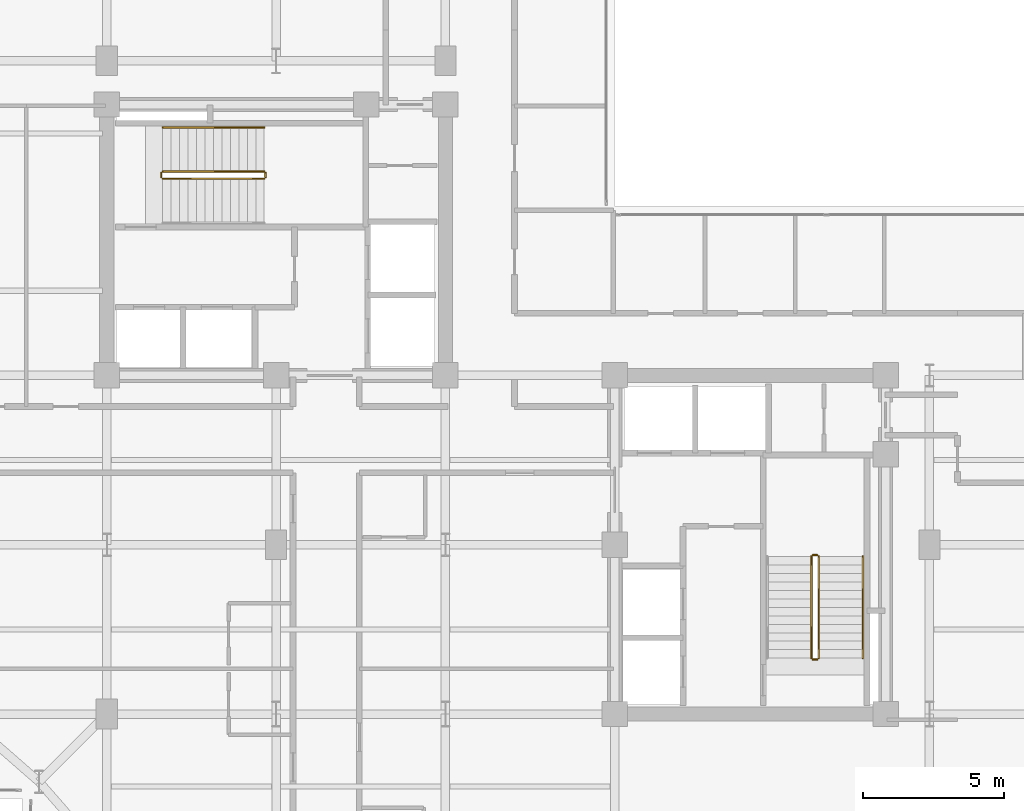
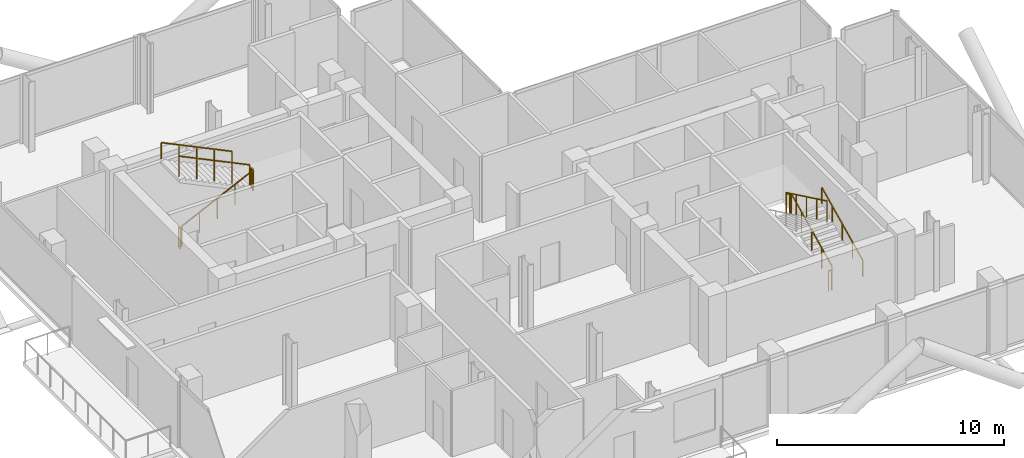
# One storey, part 21 of 21: 10 railings.
"""IFC4 building model written with IfcOpenShell, lengths in metres."""

from ifc_helpers import new_model, si_unit, direction, frame, origin, origin_2d, place, context, subcontext, project, spatial, rectangle, extrude, material, type_object, element, save


model = new_model("IFC4")

# Units and contexts
model_context = context("Model", 3, precision=1e-05, world=origin(), true_north=direction((0.0, 1.0)))
body_context = subcontext(model_context, "Body", "Model", "MODEL_VIEW")
ifc_project = project(units=[si_unit("LENGTHUNIT", "METRE"), si_unit("AREAUNIT", "SQUARE_METRE"), si_unit("VOLUMEUNIT", "CUBIC_METRE"), si_unit("PLANEANGLEUNIT", "RADIAN"), si_unit("MASSUNIT", "GRAM", prefix="KILO"), si_unit("THERMODYNAMICTEMPERATUREUNIT", "KELVIN"), si_unit("POWERUNIT", "WATT")], contexts=[model_context])

# Site, building, storey
site_placement = place(None, origin())
site = spatial("IfcSite", under=ifc_project, at=site_placement, CompositionType="ELEMENT")
building_placement = place(site_placement, origin())
building = spatial("IfcBuilding", under=site, at=building_placement, Name="Svarakhadi Broadcast Tower", CompositionType="ELEMENT")
storey_placement = place(building_placement, frame((0.0, 0.0, 208.64990234375)))
storey = spatial("IfcBuildingStorey", under=building, at=storey_placement, Name="L51", CompositionType="ELEMENT", Elevation=208.64990234375)

# Railings
ifc_material = material(Name="Anodised Bronze Aluminium AA 6063-T6", Category="aluminium")
railing_type_1 = type_object("IfcRailingType", Name="Guard_Stair_GR01", PredefinedType="GUARDRAIL", material=ifc_material)
railing_1_placement = place(storey_placement, frame((7.97998046875, 24.969970703125, 0.144287109375)))
element("IfcRailing", 1, at=railing_1_placement, inside=storey, type_object=railing_type_1, Name="L51 ST-01 stair guard 1", PredefinedType="GUARDRAIL", context=body_context, shape_type="SweptSolid", body=[
    extrude(rectangle(XDim=0.048095703125, YDim=0.048095703125, at=origin_2d()), frame((0.0, 0.0, 1.09619140625), z_axis=(0.901262522062, 0.0, 0.433273431364), x_axis=(0.0, 1.0, 0.0)), (0.0, 0.0, 1.0), 3.994384765625),
    extrude(rectangle(XDim=0.0419921875, YDim=0.0419921875, at=origin_2d()), origin(), (0.0, 0.0, 1.0), 1.072021484375),
    extrude(rectangle(XDim=0.0419921875, YDim=0.0419921875, at=origin_2d()), frame((0.89990234375, 0.0, 0.4326171875)), (0.0, 0.0, 1.0), 1.072021484375),
    extrude(rectangle(XDim=0.0419921875, YDim=0.0419921875, at=origin_2d()), frame((1.800048828125, 0.0, 0.865234375)), (0.0, 0.0, 1.0), 1.072021484375),
    extrude(rectangle(XDim=0.0419921875, YDim=0.0419921875, at=origin_2d()), frame((2.7001953125, 0.0, 1.298095703125)), (0.0, 0.0, 1.0), 1.072021484375),
    extrude(rectangle(XDim=0.0419921875, YDim=0.0419921875, at=origin_2d()), frame((3.60009765625, 0.0, 1.730712890625)), (0.0, 0.0, 1.0), 1.072021484375),
])
railing_2_placement = place(storey_placement, frame((11.6298828125, 25.02001953125, 1.875)))
element("IfcRailing", 2, at=railing_2_placement, inside=storey, type_object=railing_type_1, Name="L51 ST-01 stair guard 2", PredefinedType="GUARDRAIL", context=body_context, shape_type="SweptSolid", body=[
    extrude(rectangle(XDim=0.048095703125, YDim=0.048095703125, at=origin_2d()), frame((0.0, 0.0, 1.09619140625), z_axis=(0.0, 1.0, 0.0), x_axis=(-1.0, 0.0, 0.0)), (0.0, 0.0, 1.0), 0.159912109375),
    extrude(rectangle(XDim=0.0419921875, YDim=0.0419921875, at=origin_2d()), origin(), (0.0, 0.0, 1.0), 1.072021484375),
    extrude(rectangle(XDim=0.0419921875, YDim=0.0419921875, at=origin_2d()), frame((0.0, 0.159912109375, 0.0)), (0.0, 0.0, 1.0), 1.072021484375),
])
railing_3_placement = place(storey_placement, frame((11.580078125, 25.22998046875, 2.019287109375)))
element("IfcRailing", 3, at=railing_3_placement, inside=storey, type_object=railing_type_1, Name="L51 ST-01 stair guard 3", PredefinedType="GUARDRAIL", context=body_context, shape_type="SweptSolid", body=[
    extrude(rectangle(XDim=0.048095703125, YDim=0.048095703125, at=origin_2d()), frame((0.0, 0.0, 1.09619140625), z_axis=(-0.901262522062, 0.0, 0.433273431364), x_axis=(0.0, -1.0, 0.0)), (0.0, 0.0, 1.0), 3.994384765625),
    extrude(rectangle(XDim=0.0419921875, YDim=0.0419921875, at=origin_2d()), origin(), (0.0, 0.0, 1.0), 1.072021484375),
    extrude(rectangle(XDim=0.0419921875, YDim=0.0419921875, at=origin_2d()), frame((-0.89990234375, 0.0, 0.4326171875)), (0.0, 0.0, 1.0), 1.072021484375),
    extrude(rectangle(XDim=0.0419921875, YDim=0.0419921875, at=origin_2d()), frame((-1.800048828125, 0.0, 0.865234375)), (0.0, 0.0, 1.0), 1.072021484375),
    extrude(rectangle(XDim=0.0419921875, YDim=0.0419921875, at=origin_2d()), frame((-2.7001953125, 0.0, 1.298095703125)), (0.0, 0.0, 1.0), 1.072021484375),
    extrude(rectangle(XDim=0.0419921875, YDim=0.0419921875, at=origin_2d()), frame((-3.60009765625, 0.0, 1.730712890625)), (0.0, 0.0, 1.0), 1.072021484375),
])
railing_4_placement = place(storey_placement, frame((7.929931640625, 25.02001953125, 0.0)))
element("IfcRailing", 4, at=railing_4_placement, inside=storey, type_object=railing_type_1, Name="L51 ST-01 stair guard 4", PredefinedType="GUARDRAIL", context=body_context, shape_type="SweptSolid", body=[
    extrude(rectangle(XDim=0.048095703125, YDim=0.048095703125, at=origin_2d()), frame((0.0, 0.0, 1.09619140625), z_axis=(0.0, 1.0, 0.0), x_axis=(-1.0, 0.0, 0.0)), (0.0, 0.0, 1.0), 0.159912109375),
    extrude(rectangle(XDim=0.0419921875, YDim=0.0419921875, at=origin_2d()), origin(), (0.0, 0.0, 1.0), 1.072021484375),
    extrude(rectangle(XDim=0.0419921875, YDim=0.0419921875, at=origin_2d()), frame((0.0, 0.159912109375, 0.0)), (0.0, 0.0, 1.0), 1.072021484375),
])
railing_5_placement = place(storey_placement, frame((31.22998046875, 7.97998046875, 0.144287109375)))
element("IfcRailing", 5, at=railing_5_placement, inside=storey, type_object=railing_type_1, Name="L51 ST-02 stair guard 1", PredefinedType="GUARDRAIL", context=body_context, shape_type="SweptSolid", body=[
    extrude(rectangle(XDim=0.048095703125, YDim=0.048095703125, at=origin_2d()), frame((0.0, 0.0, 1.09619140625), z_axis=(0.0, 0.901262522062, 0.433273431364), x_axis=(-1.0, 0.0, 0.0)), (0.0, 0.0, 1.0), 3.994384765625),
    extrude(rectangle(XDim=0.0419921875, YDim=0.0419921875, at=origin_2d()), origin(), (0.0, 0.0, 1.0), 1.072021484375),
    extrude(rectangle(XDim=0.0419921875, YDim=0.0419921875, at=origin_2d()), frame((0.0, 0.89990234375, 0.4326171875)), (0.0, 0.0, 1.0), 1.072021484375),
    extrude(rectangle(XDim=0.0419921875, YDim=0.0419921875, at=origin_2d()), frame((0.0, 1.800048828125, 0.865234375)), (0.0, 0.0, 1.0), 1.072021484375),
    extrude(rectangle(XDim=0.0419921875, YDim=0.0419921875, at=origin_2d()), frame((0.0, 2.7001953125, 1.298095703125)), (0.0, 0.0, 1.0), 1.072021484375),
    extrude(rectangle(XDim=0.0419921875, YDim=0.0419921875, at=origin_2d()), frame((0.0, 3.60009765625, 1.730712890625)), (0.0, 0.0, 1.0), 1.072021484375),
])
railing_6_placement = place(storey_placement, frame((31.179931640625, 11.6298828125, 1.875)))
element("IfcRailing", 6, at=railing_6_placement, inside=storey, type_object=railing_type_1, Name="L51 ST-02 stair guard 2", PredefinedType="GUARDRAIL", context=body_context, shape_type="SweptSolid", body=[
    extrude(rectangle(XDim=0.048095703125, YDim=0.048095703125, at=origin_2d()), frame((0.0, 0.0, 1.09619140625), z_axis=(-1.0, 0.0, 0.0), x_axis=(0.0, -1.0, 0.0)), (0.0, 0.0, 1.0), 0.159912109375),
    extrude(rectangle(XDim=0.0419921875, YDim=0.0419921875, at=origin_2d()), origin(), (0.0, 0.0, 1.0), 1.072021484375),
    extrude(rectangle(XDim=0.0419921875, YDim=0.0419921875, at=origin_2d()), frame((-0.159912109375, 0.0, 0.0)), (0.0, 0.0, 1.0), 1.072021484375),
])
railing_7_placement = place(storey_placement, frame((30.969970703125, 11.580078125, 2.019287109375)))
element("IfcRailing", 7, at=railing_7_placement, inside=storey, type_object=railing_type_1, Name="L51 ST-02 stair guard 3", PredefinedType="GUARDRAIL", context=body_context, shape_type="SweptSolid", body=[
    extrude(rectangle(XDim=0.048095703125, YDim=0.048095703125, at=origin_2d()), frame((0.0, 0.0, 1.09619140625), z_axis=(0.0, -0.901262522062, 0.433273431364), x_axis=(1.0, 0.0, 0.0)), (0.0, 0.0, 1.0), 3.994384765625),
    extrude(rectangle(XDim=0.0419921875, YDim=0.0419921875, at=origin_2d()), origin(), (0.0, 0.0, 1.0), 1.072021484375),
    extrude(rectangle(XDim=0.0419921875, YDim=0.0419921875, at=origin_2d()), frame((0.0, -0.89990234375, 0.4326171875)), (0.0, 0.0, 1.0), 1.072021484375),
    extrude(rectangle(XDim=0.0419921875, YDim=0.0419921875, at=origin_2d()), frame((0.0, -1.800048828125, 0.865234375)), (0.0, 0.0, 1.0), 1.072021484375),
    extrude(rectangle(XDim=0.0419921875, YDim=0.0419921875, at=origin_2d()), frame((0.0, -2.7001953125, 1.298095703125)), (0.0, 0.0, 1.0), 1.072021484375),
    extrude(rectangle(XDim=0.0419921875, YDim=0.0419921875, at=origin_2d()), frame((0.0, -3.60009765625, 1.730712890625)), (0.0, 0.0, 1.0), 1.072021484375),
])
railing_8_placement = place(storey_placement, frame((31.179931640625, 7.929931640625, 0.0)))
element("IfcRailing", 8, at=railing_8_placement, inside=storey, type_object=railing_type_1, Name="L51 ST-02 stair guard 4", PredefinedType="GUARDRAIL", context=body_context, shape_type="SweptSolid", body=[
    extrude(rectangle(XDim=0.048095703125, YDim=0.048095703125, at=origin_2d()), frame((0.0, 0.0, 1.09619140625), z_axis=(-1.0, 0.0, 0.0), x_axis=(0.0, -1.0, 0.0)), (0.0, 0.0, 1.0), 0.159912109375),
    extrude(rectangle(XDim=0.0419921875, YDim=0.0419921875, at=origin_2d()), origin(), (0.0, 0.0, 1.0), 1.072021484375),
    extrude(rectangle(XDim=0.0419921875, YDim=0.0419921875, at=origin_2d()), frame((-0.159912109375, 0.0, 0.0)), (0.0, 0.0, 1.0), 1.072021484375),
])
railing_type_2 = type_object("IfcRailingType", Name="Handrail_Stair_HR01", PredefinedType="HANDRAIL", material=ifc_material)
railing_9_placement = place(storey_placement, frame((11.580078125, 26.7900390625, 2.019287109375)))
element("IfcRailing", 9, at=railing_9_placement, inside=storey, type_object=railing_type_2, Name="L51 ST-01 stair handrail 2", PredefinedType="HANDRAIL", context=body_context, shape_type="SweptSolid", body=[
    extrude(rectangle(XDim=0.048095703125, YDim=0.048095703125, at=origin_2d()), frame((0.0, 0.0, 0.8759765625), z_axis=(-0.901262522062, 0.0, 0.433273431364), x_axis=(0.0, -1.0, 0.0)), (0.0, 0.0, 1.0), 3.994384765625),
    extrude(rectangle(XDim=0.0419921875, YDim=0.0419921875, at=origin_2d()), origin(), (0.0, 0.0, 1.0), 0.851806640625),
    extrude(rectangle(XDim=0.0419921875, YDim=0.0419921875, at=origin_2d()), frame((-0.89990234375, 0.0, 0.4326171875)), (0.0, 0.0, 1.0), 0.851806640625),
    extrude(rectangle(XDim=0.0419921875, YDim=0.0419921875, at=origin_2d()), frame((-1.800048828125, 0.0, 0.865234375)), (0.0, 0.0, 1.0), 0.851806640625),
    extrude(rectangle(XDim=0.0419921875, YDim=0.0419921875, at=origin_2d()), frame((-2.7001953125, 0.0, 1.298095703125)), (0.0, 0.0, 1.0), 0.851806640625),
    extrude(rectangle(XDim=0.0419921875, YDim=0.0419921875, at=origin_2d()), frame((-3.60009765625, 0.0, 1.730712890625)), (0.0, 0.0, 1.0), 0.851806640625),
])
railing_10_placement = place(storey_placement, frame((32.7900390625, 7.97998046875, 0.144287109375)))
element("IfcRailing", 10, at=railing_10_placement, inside=storey, type_object=railing_type_2, Name="L51 ST-02 stair handrail 1", PredefinedType="HANDRAIL", context=body_context, shape_type="SweptSolid", body=[
    extrude(rectangle(XDim=0.048095703125, YDim=0.048095703125, at=origin_2d()), frame((0.0, 0.0, 0.8759765625), z_axis=(0.0, 0.901262522062, 0.433273431364), x_axis=(-1.0, 0.0, 0.0)), (0.0, 0.0, 1.0), 3.994384765625),
    extrude(rectangle(XDim=0.0419921875, YDim=0.0419921875, at=origin_2d()), origin(), (0.0, 0.0, 1.0), 0.851806640625),
    extrude(rectangle(XDim=0.0419921875, YDim=0.0419921875, at=origin_2d()), frame((0.0, 0.89990234375, 0.4326171875)), (0.0, 0.0, 1.0), 0.851806640625),
    extrude(rectangle(XDim=0.0419921875, YDim=0.0419921875, at=origin_2d()), frame((0.0, 1.800048828125, 0.865234375)), (0.0, 0.0, 1.0), 0.851806640625),
    extrude(rectangle(XDim=0.0419921875, YDim=0.0419921875, at=origin_2d()), frame((0.0, 2.7001953125, 1.298095703125)), (0.0, 0.0, 1.0), 0.851806640625),
    extrude(rectangle(XDim=0.0419921875, YDim=0.0419921875, at=origin_2d()), frame((0.0, 3.60009765625, 1.730712890625)), (0.0, 0.0, 1.0), 0.851806640625),
])

save(model, "model.ifc")
